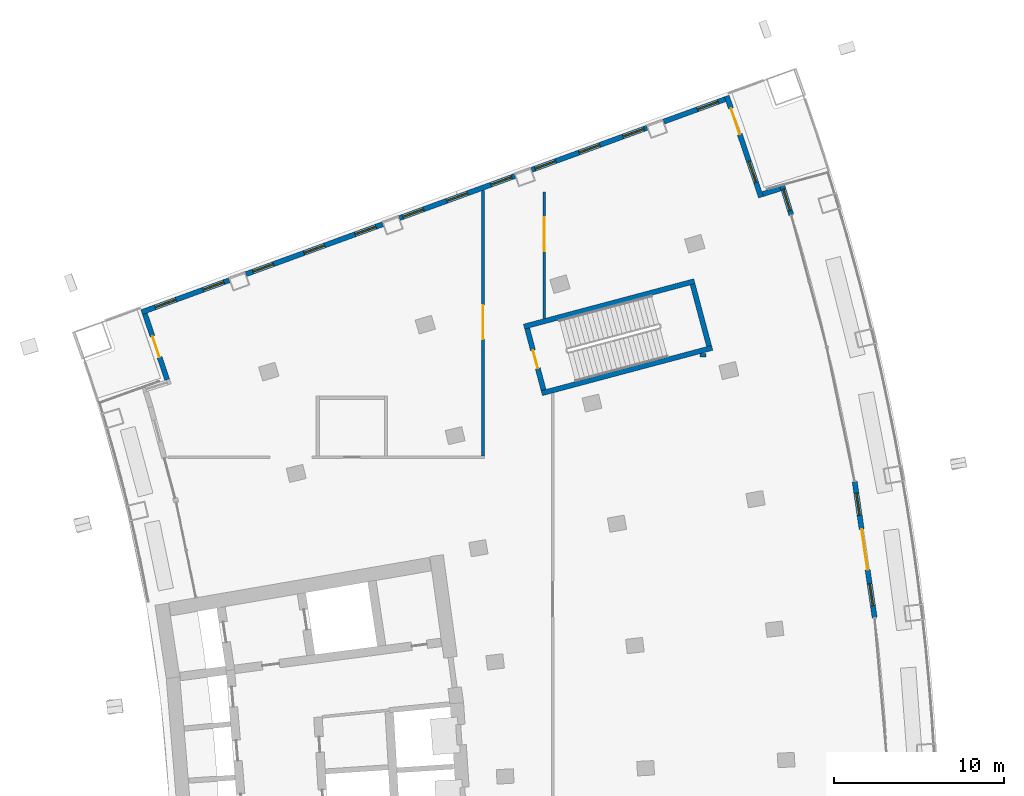
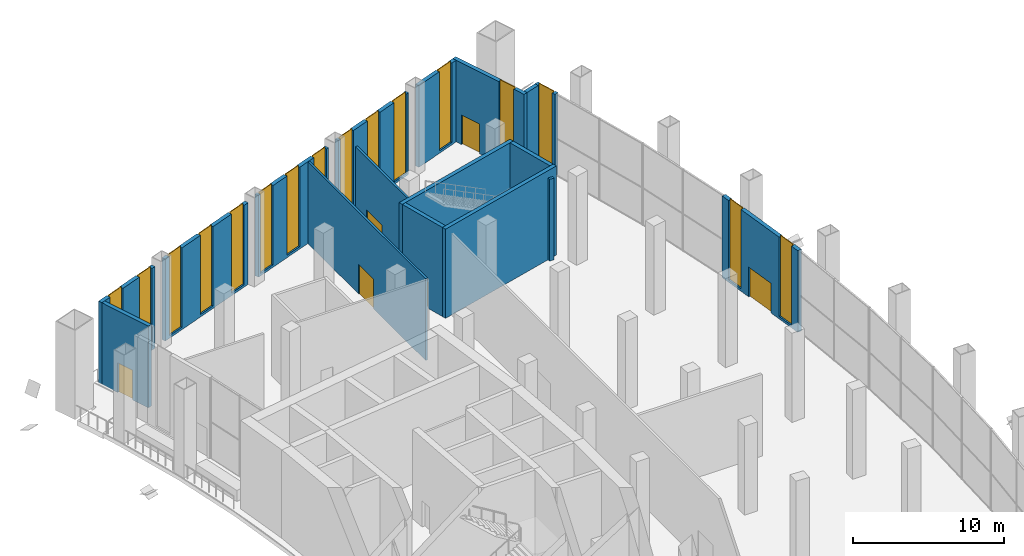
# One storey, part 12 of 18: 17 walls, 16 windows, 6 doors, 22 openings.
"""IFC4 building model written with IfcOpenShell, lengths in metres."""

from ifc_helpers import new_model, si_unit, direction, frame, frame_2d, origin, place, context, subcontext, project, spatial, rectangle, extrude, material, layer, layer_set, type_object, element, fill, save


model = new_model("IFC4")

# Units and contexts
model_context = context("Model", 3, precision=1e-05, world=origin(), true_north=direction((0.0, 1.0)))
body_context = subcontext(model_context, "Body", "Model", "MODEL_VIEW")
ifc_project = project(units=[si_unit("LENGTHUNIT", "METRE"), si_unit("AREAUNIT", "SQUARE_METRE"), si_unit("VOLUMEUNIT", "CUBIC_METRE"), si_unit("PLANEANGLEUNIT", "RADIAN"), si_unit("MASSUNIT", "GRAM", prefix="KILO")], contexts=[model_context])

# Site, building, storey
site_placement = place(None, origin())
site = spatial("IfcSite", under=ifc_project, at=site_placement, CompositionType="ELEMENT")
building_placement = place(site_placement, origin())
building = spatial("IfcBuilding", under=site, at=building_placement, Name="Alderwake Tower", CompositionType="ELEMENT")
storey_placement = place(building_placement, frame((0.0, 0.0, 125.60009765625)))
storey = spatial("IfcBuildingStorey", under=building, at=storey_placement, Name="L31", CompositionType="ELEMENT", Elevation=125.60009765625)

# Walls
ifc_material_1 = material(Name="Concrete C70/85", Category="concrete")
ifc_layer_1 = layer(ifc_material_1, 0.300048828125)
ifc_layer_set_1 = layer_set([ifc_layer_1], Name="Core wall stair enclosure 300 C70-85")
wall_type_1 = type_object("IfcWallType", Name="Core wall stair enclosure 300 C70-85", PredefinedType="SHEAR", material=ifc_layer_set_1)
for number, where, z_axis, x_axis, name in (
    (1, (36.71142578125, 94.182373046875, 0.0), (0.0, 0.0, 1.0), (0.966309214305, 0.257383958996, 0.0), "Core wall CW.082"),
    (2, (37.75390625, 90.268798828125, 0.0), (0.0, 0.0, 1.0), (0.966309214305, 0.257383958996, 0.0), "Core wall CW.084"),
):
    element("IfcWall", number, at=place(storey_placement, frame(where, z_axis=z_axis, x_axis=x_axis)), inside=storey, type_object=wall_type_1, Name=name, PredefinedType="SHEAR", context=body_context, shape_type="SweptSolid", body=[
        extrude(rectangle(XDim=10.360107421875, YDim=0.300048828125, at=frame_2d((5.18017578125, 0.0))), origin(), (0.0, 0.0, 1.0), 7.199951171875),
    ])

# Wall, opening, door
wall_1_placement = place(storey_placement, frame((37.8603515625, 90.452392578125, 0.0), z_axis=(0.0, 0.0, 1.0), x_axis=(-0.257411420208, 0.966301899381, 0.0)))
wall_1 = element("IfcWall", 3, at=wall_1_placement, inside=storey, type_object=wall_type_1, Name="Core wall CW.083", PredefinedType="SHEAR", context=body_context, shape_type="SweptSolid", body=[
    extrude(rectangle(XDim=3.750244140625, YDim=0.300048828125, at=frame_2d((1.875, 0.0))), origin(), (0.0, 0.0, 1.0), 7.199951171875),
])
opening_1_placement = place(wall_1_placement, frame((1.324951171875, 0.0, 0.0)))
opening_1 = element("IfcOpeningElement", 4, at=opening_1_placement, cuts=wall_1, Name="Opening C062", PredefinedType="OPENING", context=body_context, shape_type="SweptSolid", body=[
    extrude(rectangle(XDim=1.10009765625, YDim=2.10009765625, at=frame_2d((0.550048828125, 1.050048828125))), frame((0.0, 0.159912109375, 0.0), z_axis=(0.0, -1.0, 0.0), x_axis=(1.0, 0.0, 0.0)), (0.0, 0.0, 1.0), 0.320068359375),
])
ifc_material_2 = material(Name="Steel-framed fire door leaf", Category="steel")
door_type_1 = type_object("IfcDoorType", Name="Core stair door 1100 fire-rated", OperationType="SINGLE_SWING_LEFT", PredefinedType="DOOR", material=ifc_material_2)
door_1_placement = place(opening_1_placement, origin())
door_1 = element("IfcDoor", 5, at=door_1_placement, inside=storey, type_object=door_type_1, Name="Stair door", OperationType="SINGLE_SWING_RIGHT", OverallHeight=2.10009765625, OverallWidth=1.10009765625, PredefinedType="DOOR", context=body_context, shape_type="SweptSolid", body=[
    extrude(rectangle(XDim=1.10009765625, YDim=2.10009765625, at=frame_2d((0.550048828125, 1.050048828125))), frame((0.0, 0.02490234375, 0.0), z_axis=(0.0, -1.0, 0.0), x_axis=(1.0, 0.0, 0.0)), (0.0, 0.0, 1.0), 0.050048828125),
])
fill(opening_1, door_1)

# Wall
wall_2_placement = place(storey_placement, frame((47.581298828125, 93.041748046875, 0.0), z_axis=(0.0, 0.0, 1.0), x_axis=(-0.257366821694, 0.966313778796, 0.0)))
element("IfcWall", 6, at=wall_2_placement, inside=storey, type_object=wall_type_1, Name="Core wall CW.081", PredefinedType="SHEAR", context=body_context, shape_type="SweptSolid", body=[
    extrude(rectangle(XDim=3.749755859375, YDim=0.300048828125, at=frame_2d((1.875, 0.0))), origin(), (0.0, 0.0, 1.0), 7.199951171875),
])

# Wall, opening, door
ifc_material_3 = material(Name="Gypsum board on metal studs, rated")
ifc_layer_2 = layer(ifc_material_3, 0.159912109375)
ifc_layer_set_2 = layer_set([ifc_layer_2], Name="Corridor wall 160")
wall_type_2 = type_object("IfcWallType", Name="Corridor wall 160", PredefinedType="PARTITIONING", material=ifc_layer_set_2)
wall_3_placement = place(storey_placement, frame((34.299072265625, 102.1689453125, 0.0), z_axis=(0.0, 0.0, 1.0), x_axis=(0.0, -1.0, 0.0)))
wall_3 = element("IfcWall", 7, at=wall_3_placement, inside=storey, type_object=wall_type_2, Name="WL/L31/W15", PredefinedType="PARTITIONING", context=body_context, shape_type="SweptSolid", body=[
    extrude(rectangle(XDim=15.58984375, YDim=0.159912109375, at=frame_2d((7.794921875, 0.0))), origin(), (0.0, 0.0, 1.0), 6.599853515625),
])
opening_2_placement = place(wall_3_placement, frame((6.728515625, 0.0, 0.0)))
opening_2 = element("IfcOpeningElement", 8, at=opening_2_placement, cuts=wall_3, Name="Opening L31-04", PredefinedType="OPENING", context=body_context, shape_type="SweptSolid", body=[
    extrude(rectangle(XDim=2.0, YDim=2.39990234375, at=frame_2d((1.0, 1.199951171875))), frame((0.0, 0.08984375, 0.0), z_axis=(0.0, -1.0, 0.0), x_axis=(1.0, 0.0, 0.0)), (0.0, 0.0, 1.0), 0.179931640625),
])
ifc_material_4 = material(Name="Timber leaves with glazed panels", Category="wood")
door_type_2 = type_object("IfcDoorType", Name="Hall double door 2000", OperationType="DOUBLE_DOOR_SINGLE_SWING", PredefinedType="DOOR", material=ifc_material_4)
door_2_placement = place(opening_2_placement, origin())
door_2 = element("IfcDoor", 9, at=door_2_placement, inside=storey, type_object=door_type_2, Name="DR/L31/04", OperationType="DOUBLE_DOOR_SINGLE_SWING", OverallHeight=2.39990234375, OverallWidth=2.0, PredefinedType="DOOR", context=body_context, shape_type="SweptSolid", body=[
    extrude(rectangle(XDim=2.0, YDim=2.39990234375, at=frame_2d((1.0, 1.199951171875))), frame((0.0, 0.02490234375, 0.0), z_axis=(0.0, -1.0, 0.0), x_axis=(1.0, 0.0, 0.0)), (0.0, 0.0, 1.0), 0.050048828125),
])
fill(opening_2, door_2)

wall_4_placement = place(storey_placement, frame((37.89892578125, 94.673095703125, 0.0), z_axis=(0.0, 0.0, 1.0), x_axis=(0.0, 1.0, 0.0)))
wall_4 = element("IfcWall", 10, at=wall_4_placement, inside=storey, type_object=wall_type_2, Name="WL/L31/W19", PredefinedType="PARTITIONING", context=body_context, shape_type="SweptSolid", body=[
    extrude(rectangle(XDim=7.431884765625, YDim=0.159912109375, at=frame_2d((3.7158203125, 0.0))), origin(), (0.0, 0.0, 1.0), 6.599853515625),
])
opening_3_placement = place(wall_4_placement, frame((3.93115234375, 0.0, 0.0)))
opening_3 = element("IfcOpeningElement", 11, at=opening_3_placement, cuts=wall_4, Name="Opening L31-06", PredefinedType="OPENING", context=body_context, shape_type="SweptSolid", body=[
    extrude(rectangle(XDim=2.0, YDim=2.39990234375, at=frame_2d((1.0, 1.199951171875))), frame((0.0, 0.08984375, 0.0), z_axis=(0.0, -1.0, 0.0), x_axis=(1.0, 0.0, 0.0)), (0.0, 0.0, 1.0), 0.179931640625),
])
door_3_placement = place(opening_3_placement, origin())
door_3 = element("IfcDoor", 12, at=door_3_placement, inside=storey, type_object=door_type_2, Name="DR/L31/06", OperationType="DOUBLE_DOOR_SINGLE_SWING", OverallHeight=2.39990234375, OverallWidth=2.0, PredefinedType="DOOR", context=body_context, shape_type="SweptSolid", body=[
    extrude(rectangle(XDim=2.0, YDim=2.39990234375, at=frame_2d((1.0, 1.199951171875))), frame((0.0, 0.02490234375, 0.0), z_axis=(0.0, -1.0, 0.0), x_axis=(1.0, 0.0, 0.0)), (0.0, 0.0, 1.0), 0.050048828125),
])
fill(opening_3, door_3)

# Wall, openings, door, windows
ifc_material_5 = material(Name="Precast concrete C50/60 spandrel panel", Category="concrete")
ifc_layer_3 = layer(ifc_material_5, 0.300048828125)
ifc_layer_set_3 = layer_set([ifc_layer_3], Name="External wall EW1 Precast concrete C50/60 spandrel")
wall_type_3 = type_object("IfcWallType", Name="External wall EW1 Precast concrete C50/60 spandrel", PredefinedType="SOLIDWALL", material=ifc_layer_set_3)
wall_5_placement = place(storey_placement, frame((57.310302734375, 77.091064453125, 0.0), z_axis=(0.0, 0.0, 1.0), x_axis=(-0.145305781648, 0.989386794848, 0.0)))
wall_5 = element("IfcWall", 13, at=wall_5_placement, inside=storey, type_object=wall_type_3, Name="External wall 17", PredefinedType="SOLIDWALL", context=body_context, shape_type="SweptSolid", body=[
    extrude(rectangle(XDim=8.066650390625, YDim=0.300048828125, at=frame_2d((4.033203125, 0.0))), origin(), (0.0, 0.0, 1.0), 6.599853515625),
])
opening_4_placement = place(wall_5_placement, frame((0.6943359375, 0.0, 0.199951171875)))
opening_4 = element("IfcOpeningElement", 14, at=opening_4_placement, cuts=wall_5, Name="Opening W5", PredefinedType="OPENING", context=body_context, shape_type="SweptSolid", body=[
    extrude(rectangle(XDim=1.300048828125, YDim=6.5, at=frame_2d((0.64990234375, 3.25))), frame((0.0, 0.159912109375, 0.0), z_axis=(0.0, -1.0, 0.0), x_axis=(1.0, 0.0, 0.0)), (0.0, 0.0, 1.0), 0.320068359375),
])
opening_5_placement = place(wall_5_placement, frame((2.833251953125, 0.0, 0.0)))
opening_5 = element("IfcOpeningElement", 15, at=opening_5_placement, cuts=wall_5, Name="Opening D06", PredefinedType="OPENING", context=body_context, shape_type="SweptSolid", body=[
    extrude(rectangle(XDim=2.39990234375, YDim=2.39990234375, at=frame_2d((1.199951171875, 1.199951171875))), frame((0.0, 0.159912109375, 0.0), z_axis=(0.0, -1.0, 0.0), x_axis=(1.0, 0.0, 0.0)), (0.0, 0.0, 1.0), 0.320068359375),
])
opening_6_placement = place(wall_5_placement, frame((6.072021484375, 0.0, 0.199951171875)))
opening_6 = element("IfcOpeningElement", 16, at=opening_6_placement, cuts=wall_5, Name="Opening W5", PredefinedType="OPENING", context=body_context, shape_type="SweptSolid", body=[
    extrude(rectangle(XDim=1.300048828125, YDim=6.5, at=frame_2d((0.64990234375, 3.25))), frame((0.0, 0.159912109375, 0.0), z_axis=(0.0, -1.0, 0.0), x_axis=(1.0, 0.0, 0.0)), (0.0, 0.0, 1.0), 0.320068359375),
])
ifc_material_6 = material(Name="Bronze tinted glass in aluminium frame", Category="aluminium")
door_type_3 = type_object("IfcDoorType", Name="Garden door GD sliding", OperationType="DOUBLE_DOOR_SINGLE_SWING", PredefinedType="DOOR", material=ifc_material_6)
door_4_placement = place(opening_5_placement, origin())
door_4 = element("IfcDoor", 17, at=door_4_placement, inside=storey, type_object=door_type_3, Name="Door D06", OperationType="DOUBLE_DOOR_SINGLE_SWING", OverallHeight=2.39990234375, OverallWidth=2.39990234375, PredefinedType="DOOR", context=body_context, shape_type="SweptSolid", body=[
    extrude(rectangle(XDim=2.39990234375, YDim=2.39990234375, at=frame_2d((1.199951171875, 1.199951171875))), frame((0.0, 0.02490234375, 0.0), z_axis=(0.0, -1.0, 0.0), x_axis=(1.0, 0.0, 0.0)), (0.0, 0.0, 1.0), 0.050048828125),
])
fill(opening_5, door_4)
ifc_material_7 = material(Name="Bronze tinted glass in aluminium frame", Category="aluminium")
window_type = type_object("IfcWindowType", Name="Window W5 garden floor tall", PartitioningType="SINGLE_PANEL", PredefinedType="WINDOW", material=ifc_material_7)
window_1_placement = place(opening_4_placement, origin())
window_1 = element("IfcWindow", 18, at=window_1_placement, inside=storey, type_object=window_type, Name="Window W5 garden floor tall", OverallHeight=6.5, OverallWidth=1.300048828125, PartitioningType="SINGLE_PANEL", PredefinedType="WINDOW", context=body_context, shape_type="SweptSolid", body=[
    extrude(rectangle(XDim=1.300048828125, YDim=6.5, at=frame_2d((0.64990234375, 3.25))), frame((0.0, 0.030029296875, 0.0), z_axis=(0.0, -1.0, 0.0), x_axis=(1.0, 0.0, 0.0)), (0.0, 0.0, 1.0), 0.06005859375),
])
fill(opening_4, window_1)
window_2_placement = place(opening_6_placement, origin())
window_2 = element("IfcWindow", 19, at=window_2_placement, inside=storey, type_object=window_type, Name="Window W5 garden floor tall", OverallHeight=6.5, OverallWidth=1.300048828125, PartitioningType="SINGLE_PANEL", PredefinedType="WINDOW", context=body_context, shape_type="SweptSolid", body=[
    extrude(rectangle(XDim=1.300048828125, YDim=6.5, at=frame_2d((0.64990234375, 3.25))), frame((0.0, 0.030029296875, 0.0), z_axis=(0.0, -1.0, 0.0), x_axis=(1.0, 0.0, 0.0)), (0.0, 0.0, 1.0), 0.06005859375),
])
fill(opening_6, window_2)

# Wall, opening, window
wall_6_placement = place(storey_placement, frame((52.4111328125, 100.75341796875, 0.0), z_axis=(0.0, 0.0, 1.0), x_axis=(-0.294491957964, 0.955653957609, 0.0)))
wall_6 = element("IfcWall", 20, at=wall_6_placement, inside=storey, type_object=wall_type_3, Name="External wall 18", PredefinedType="SOLIDWALL", context=body_context, shape_type="SweptSolid", body=[
    extrude(rectangle(XDim=1.81640625, YDim=0.300048828125, at=frame_2d((0.908203125, 0.0))), origin(), (0.0, 0.0, 1.0), 6.599853515625),
])
opening_7_placement = place(wall_6_placement, frame((0.25830078125, 0.0, 0.199951171875)))
opening_7 = element("IfcOpeningElement", 21, at=opening_7_placement, cuts=wall_6, Name="Opening W5", PredefinedType="OPENING", context=body_context, shape_type="SweptSolid", body=[
    extrude(rectangle(XDim=1.300048828125, YDim=6.5, at=frame_2d((0.64990234375, 3.25))), frame((0.0, 0.159912109375, 0.0), z_axis=(0.0, -1.0, 0.0), x_axis=(1.0, 0.0, 0.0)), (0.0, 0.0, 1.0), 0.320068359375),
])
window_3_placement = place(opening_7_placement, origin())
window_3 = element("IfcWindow", 22, at=window_3_placement, inside=storey, type_object=window_type, Name="Window W5 garden floor tall", OverallHeight=6.5, OverallWidth=1.300048828125, PartitioningType="SINGLE_PANEL", PredefinedType="WINDOW", context=body_context, shape_type="SweptSolid", body=[
    extrude(rectangle(XDim=1.300048828125, YDim=6.5, at=frame_2d((0.64990234375, 3.25))), frame((0.0, 0.030029296875, 0.0), z_axis=(0.0, -1.0, 0.0), x_axis=(1.0, 0.0, 0.0)), (0.0, 0.0, 1.0), 0.06005859375),
])
fill(opening_7, window_3)

# Wall
ifc_material_8 = material(Name="Bronze metal cladding on lightweight framing")
ifc_layer_4 = layer(ifc_material_8, 0.300048828125)
ifc_layer_set_4 = layer_set([ifc_layer_4], Name="External wall EW2 bronze metal cladding")
wall_type_4 = type_object("IfcWallType", Name="External wall EW2 bronze metal cladding", PredefinedType="SOLIDWALL", material=ifc_layer_set_4)
wall_7_placement = place(storey_placement, frame((51.77734375, 102.300537109375, 0.0), z_axis=(0.0, 0.0, 1.0), x_axis=(-0.953478063394, -0.301462406657, 0.0)))
element("IfcWall", 23, at=wall_7_placement, inside=storey, type_object=wall_type_4, Name="External wall 19", PredefinedType="SOLIDWALL", context=body_context, shape_type="SweptSolid", body=[
    extrude(rectangle(XDim=1.093994140625, YDim=0.300048828125, at=frame_2d((0.546875, 0.0))), origin(), (0.0, 0.0, 1.0), 6.599853515625),
])

# Wall, openings, door, window
wall_8_placement = place(storey_placement, frame((50.63916015625, 101.783447265625, 0.0), z_axis=(0.0, 0.0, 1.0), x_axis=(-0.320895814133, 0.947114500191, 0.0)))
wall_8 = element("IfcWall", 24, at=wall_8_placement, inside=storey, type_object=wall_type_4, Name="External wall 20", PredefinedType="SOLIDWALL", context=body_context, shape_type="SweptSolid", body=[
    extrude(rectangle(XDim=6.28662109375, YDim=0.300048828125, at=frame_2d((3.143310546875, 0.0))), origin(), (0.0, 0.0, 1.0), 6.599853515625),
])
opening_8_placement = place(wall_8_placement, frame((0.921630859375, 0.0, 0.199951171875)))
opening_8 = element("IfcOpeningElement", 25, at=opening_8_placement, cuts=wall_8, Name="Opening W5", PredefinedType="OPENING", context=body_context, shape_type="SweptSolid", body=[
    extrude(rectangle(XDim=1.300048828125, YDim=6.5, at=frame_2d((0.64990234375, 3.25))), frame((0.0, 0.159912109375, 0.0), z_axis=(0.0, -1.0, 0.0), x_axis=(1.0, 0.0, 0.0)), (0.0, 0.0, 1.0), 0.320068359375),
])
opening_9_placement = place(wall_8_placement, frame((3.9150390625, 0.0, 0.0)))
opening_9 = element("IfcOpeningElement", 26, at=opening_9_placement, cuts=wall_8, Name="Opening D07", PredefinedType="OPENING", context=body_context, shape_type="SweptSolid", body=[
    extrude(rectangle(XDim=1.60009765625, YDim=2.39990234375, at=frame_2d((0.800048828125, 1.199951171875))), frame((0.0, 0.159912109375, 0.0), z_axis=(0.0, -1.0, 0.0), x_axis=(1.0, 0.0, 0.0)), (0.0, 0.0, 1.0), 0.320068359375),
])
ifc_material_9 = material(Name="Bronze tinted glass in aluminium frame", Category="aluminium")
door_type_4 = type_object("IfcDoorType", Name="Terrace door TD sliding", OperationType="SLIDING_TO_LEFT", PredefinedType="DOOR", material=ifc_material_9)
door_5_placement = place(opening_9_placement, origin())
door_5 = element("IfcDoor", 27, at=door_5_placement, inside=storey, type_object=door_type_4, Name="Door D07", OperationType="SLIDING_TO_LEFT", OverallHeight=2.39990234375, OverallWidth=1.60009765625, PredefinedType="DOOR", context=body_context, shape_type="SweptSolid", body=[
    extrude(rectangle(XDim=1.60009765625, YDim=2.39990234375, at=frame_2d((0.800048828125, 1.199951171875))), frame((0.0, 0.02490234375, 0.0), z_axis=(0.0, -1.0, 0.0), x_axis=(1.0, 0.0, 0.0)), (0.0, 0.0, 1.0), 0.050048828125),
])
fill(opening_9, door_5)
window_4_placement = place(opening_8_placement, origin())
window_4 = element("IfcWindow", 28, at=window_4_placement, inside=storey, type_object=window_type, Name="Window W5 garden floor tall", OverallHeight=6.5, OverallWidth=1.300048828125, PartitioningType="SINGLE_PANEL", PredefinedType="WINDOW", context=body_context, shape_type="SweptSolid", body=[
    extrude(rectangle(XDim=1.300048828125, YDim=6.5, at=frame_2d((0.64990234375, 3.25))), frame((0.0, 0.030029296875, 0.0), z_axis=(0.0, -1.0, 0.0), x_axis=(1.0, 0.0, 0.0)), (0.0, 0.0, 1.0), 0.06005859375),
])
fill(opening_8, window_4)

# Wall, opening, window
wall_9_placement = place(storey_placement, frame((48.529052734375, 107.544189453125, 0.0), z_axis=(0.0, 0.0, 1.0), x_axis=(-0.939372933228, -0.342897203718, 0.0)))
wall_9 = element("IfcWall", 29, at=wall_9_placement, inside=storey, type_object=wall_type_4, Name="External wall 21", PredefinedType="SOLIDWALL", context=body_context, shape_type="SweptSolid", body=[
    extrude(rectangle(XDim=3.837646484375, YDim=0.300048828125, at=frame_2d((1.9189453125, 0.0))), origin(), (0.0, 0.0, 1.0), 6.599853515625),
])
opening_10_placement = place(wall_9_placement, frame((0.441162109375, 0.0, 0.199951171875)))
opening_10 = element("IfcOpeningElement", 30, at=opening_10_placement, cuts=wall_9, Name="Opening W5", PredefinedType="OPENING", context=body_context, shape_type="SweptSolid", body=[
    extrude(rectangle(XDim=1.300048828125, YDim=6.5, at=frame_2d((0.64990234375, 3.25))), frame((0.0, 0.159912109375, 0.0), z_axis=(0.0, -1.0, 0.0), x_axis=(1.0, 0.0, 0.0)), (0.0, 0.0, 1.0), 0.320068359375),
])
window_5_placement = place(opening_10_placement, origin())
window_5 = element("IfcWindow", 31, at=window_5_placement, inside=storey, type_object=window_type, Name="Window W5 garden floor tall", OverallHeight=6.5, OverallWidth=1.300048828125, PartitioningType="SINGLE_PANEL", PredefinedType="WINDOW", context=body_context, shape_type="SweptSolid", body=[
    extrude(rectangle(XDim=1.300048828125, YDim=6.5, at=frame_2d((0.64990234375, 3.25))), frame((0.0, 0.030029296875, 0.0), z_axis=(0.0, -1.0, 0.0), x_axis=(1.0, 0.0, 0.0)), (0.0, 0.0, 1.0), 0.06005859375),
])
fill(opening_10, window_5)

# Wall, openings, windows
wall_10_placement = place(storey_placement, frame((43.93408203125, 105.866943359375, 0.0), z_axis=(0.0, 0.0, 1.0), x_axis=(-0.939364762064, -0.342919587939, 0.0)))
wall_10 = element("IfcWall", 32, at=wall_10_placement, inside=storey, type_object=wall_type_4, Name="External wall 22", PredefinedType="SOLIDWALL", context=body_context, shape_type="SweptSolid", body=[
    extrude(rectangle(XDim=7.212646484375, YDim=0.300048828125, at=frame_2d((3.6064453125, 0.0))), origin(), (0.0, 0.0, 1.0), 6.599853515625),
])
opening_11_placement = place(wall_10_placement, frame((0.200927734375, 0.0, 0.199951171875)))
opening_11 = element("IfcOpeningElement", 33, at=opening_11_placement, cuts=wall_10, Name="Opening W5", PredefinedType="OPENING", context=body_context, shape_type="SweptSolid", body=[
    extrude(rectangle(XDim=1.300048828125, YDim=6.5, at=frame_2d((0.64990234375, 3.25))), frame((0.0, 0.159912109375, 0.0), z_axis=(0.0, -1.0, 0.0), x_axis=(1.0, 0.0, 0.0)), (0.0, 0.0, 1.0), 0.320068359375),
])
opening_12_placement = place(wall_10_placement, frame((2.95654296875, 0.0, 0.199951171875)))
opening_12 = element("IfcOpeningElement", 34, at=opening_12_placement, cuts=wall_10, Name="Opening W5", PredefinedType="OPENING", context=body_context, shape_type="SweptSolid", body=[
    extrude(rectangle(XDim=1.300048828125, YDim=6.5, at=frame_2d((0.64990234375, 3.25))), frame((0.0, 0.159912109375, 0.0), z_axis=(0.0, -1.0, 0.0), x_axis=(1.0, 0.0, 0.0)), (0.0, 0.0, 1.0), 0.320068359375),
])
opening_13_placement = place(wall_10_placement, frame((5.712158203125, 0.0, 0.199951171875)))
opening_13 = element("IfcOpeningElement", 35, at=opening_13_placement, cuts=wall_10, Name="Opening W5", PredefinedType="OPENING", context=body_context, shape_type="SweptSolid", body=[
    extrude(rectangle(XDim=1.300048828125, YDim=6.5, at=frame_2d((0.64990234375, 3.25))), frame((0.0, 0.159912109375, 0.0), z_axis=(0.0, -1.0, 0.0), x_axis=(1.0, 0.0, 0.0)), (0.0, 0.0, 1.0), 0.320068359375),
])
window_6_placement = place(opening_11_placement, origin())
window_6 = element("IfcWindow", 36, at=window_6_placement, inside=storey, type_object=window_type, Name="Window W5 garden floor tall", OverallHeight=6.5, OverallWidth=1.300048828125, PartitioningType="SINGLE_PANEL", PredefinedType="WINDOW", context=body_context, shape_type="SweptSolid", body=[
    extrude(rectangle(XDim=1.300048828125, YDim=6.5, at=frame_2d((0.64990234375, 3.25))), frame((0.0, 0.030029296875, 0.0), z_axis=(0.0, -1.0, 0.0), x_axis=(1.0, 0.0, 0.0)), (0.0, 0.0, 1.0), 0.06005859375),
])
fill(opening_11, window_6)
window_7_placement = place(opening_12_placement, origin())
window_7 = element("IfcWindow", 37, at=window_7_placement, inside=storey, type_object=window_type, Name="Window W5 garden floor tall", OverallHeight=6.5, OverallWidth=1.300048828125, PartitioningType="SINGLE_PANEL", PredefinedType="WINDOW", context=body_context, shape_type="SweptSolid", body=[
    extrude(rectangle(XDim=1.300048828125, YDim=6.5, at=frame_2d((0.64990234375, 3.25))), frame((0.0, 0.030029296875, 0.0), z_axis=(0.0, -1.0, 0.0), x_axis=(1.0, 0.0, 0.0)), (0.0, 0.0, 1.0), 0.06005859375),
])
fill(opening_12, window_7)
window_8_placement = place(opening_13_placement, origin())
window_8 = element("IfcWindow", 38, at=window_8_placement, inside=storey, type_object=window_type, Name="Window W5 garden floor tall", OverallHeight=6.5, OverallWidth=1.300048828125, PartitioningType="SINGLE_PANEL", PredefinedType="WINDOW", context=body_context, shape_type="SweptSolid", body=[
    extrude(rectangle(XDim=1.300048828125, YDim=6.5, at=frame_2d((0.64990234375, 3.25))), frame((0.0, 0.030029296875, 0.0), z_axis=(0.0, -1.0, 0.0), x_axis=(1.0, 0.0, 0.0)), (0.0, 0.0, 1.0), 0.06005859375),
])
fill(opening_13, window_8)

wall_11_placement = place(storey_placement, frame((36.16845703125, 103.0322265625, 0.0), z_axis=(0.0, 0.0, 1.0), x_axis=(-0.939375665231, -0.342889719256, 0.0)))
wall_11 = element("IfcWall", 39, at=wall_11_placement, inside=storey, type_object=wall_type_4, Name="External wall 23", PredefinedType="SOLIDWALL", context=body_context, shape_type="SweptSolid", body=[
    extrude(rectangle(XDim=7.212646484375, YDim=0.300048828125, at=frame_2d((3.6064453125, 0.0))), origin(), (0.0, 0.0, 1.0), 6.599853515625),
])
opening_14_placement = place(wall_11_placement, frame((0.20068359375, 0.0, 0.199951171875)))
opening_14 = element("IfcOpeningElement", 40, at=opening_14_placement, cuts=wall_11, Name="Opening W5", PredefinedType="OPENING", context=body_context, shape_type="SweptSolid", body=[
    extrude(rectangle(XDim=1.300048828125, YDim=6.5, at=frame_2d((0.64990234375, 3.25))), frame((0.0, 0.159912109375, 0.0), z_axis=(0.0, -1.0, 0.0), x_axis=(1.0, 0.0, 0.0)), (0.0, 0.0, 1.0), 0.320068359375),
])
opening_15_placement = place(wall_11_placement, frame((2.956298828125, 0.0, 0.199951171875)))
opening_15 = element("IfcOpeningElement", 41, at=opening_15_placement, cuts=wall_11, Name="Opening W5", PredefinedType="OPENING", context=body_context, shape_type="SweptSolid", body=[
    extrude(rectangle(XDim=1.300048828125, YDim=6.5, at=frame_2d((0.64990234375, 3.25))), frame((0.0, 0.159912109375, 0.0), z_axis=(0.0, -1.0, 0.0), x_axis=(1.0, 0.0, 0.0)), (0.0, 0.0, 1.0), 0.320068359375),
])
opening_16_placement = place(wall_11_placement, frame((5.7119140625, 0.0, 0.199951171875)))
opening_16 = element("IfcOpeningElement", 42, at=opening_16_placement, cuts=wall_11, Name="Opening W5", PredefinedType="OPENING", context=body_context, shape_type="SweptSolid", body=[
    extrude(rectangle(XDim=1.300048828125, YDim=6.5, at=frame_2d((0.64990234375, 3.25))), frame((0.0, 0.159912109375, 0.0), z_axis=(0.0, -1.0, 0.0), x_axis=(1.0, 0.0, 0.0)), (0.0, 0.0, 1.0), 0.320068359375),
])
window_9_placement = place(opening_14_placement, origin())
window_9 = element("IfcWindow", 43, at=window_9_placement, inside=storey, type_object=window_type, Name="Window W5 garden floor tall", OverallHeight=6.5, OverallWidth=1.300048828125, PartitioningType="SINGLE_PANEL", PredefinedType="WINDOW", context=body_context, shape_type="SweptSolid", body=[
    extrude(rectangle(XDim=1.300048828125, YDim=6.5, at=frame_2d((0.64990234375, 3.25))), frame((0.0, 0.030029296875, 0.0), z_axis=(0.0, -1.0, 0.0), x_axis=(1.0, 0.0, 0.0)), (0.0, 0.0, 1.0), 0.06005859375),
])
fill(opening_14, window_9)
window_10_placement = place(opening_15_placement, origin())
window_10 = element("IfcWindow", 44, at=window_10_placement, inside=storey, type_object=window_type, Name="Window W5 garden floor tall", OverallHeight=6.5, OverallWidth=1.300048828125, PartitioningType="SINGLE_PANEL", PredefinedType="WINDOW", context=body_context, shape_type="SweptSolid", body=[
    extrude(rectangle(XDim=1.300048828125, YDim=6.5, at=frame_2d((0.64990234375, 3.25))), frame((0.0, 0.030029296875, 0.0), z_axis=(0.0, -1.0, 0.0), x_axis=(1.0, 0.0, 0.0)), (0.0, 0.0, 1.0), 0.06005859375),
])
fill(opening_15, window_10)
window_11_placement = place(opening_16_placement, origin())
window_11 = element("IfcWindow", 45, at=window_11_placement, inside=storey, type_object=window_type, Name="Window W5 garden floor tall", OverallHeight=6.5, OverallWidth=1.300048828125, PartitioningType="SINGLE_PANEL", PredefinedType="WINDOW", context=body_context, shape_type="SweptSolid", body=[
    extrude(rectangle(XDim=1.300048828125, YDim=6.5, at=frame_2d((0.64990234375, 3.25))), frame((0.0, 0.030029296875, 0.0), z_axis=(0.0, -1.0, 0.0), x_axis=(1.0, 0.0, 0.0)), (0.0, 0.0, 1.0), 0.06005859375),
])
fill(opening_16, window_11)

wall_12_placement = place(storey_placement, frame((28.402587890625, 100.197509765625, 0.0), z_axis=(0.0, 0.0, 1.0), x_axis=(-0.939364770023, -0.342919566137, 0.0)))
wall_12 = element("IfcWall", 46, at=wall_12_placement, inside=storey, type_object=wall_type_4, Name="External wall 24", PredefinedType="SOLIDWALL", context=body_context, shape_type="SweptSolid", body=[
    extrude(rectangle(XDim=8.54541015625, YDim=0.300048828125, at=frame_2d((4.272705078125, 0.0))), origin(), (0.0, 0.0, 1.0), 6.599853515625),
])
opening_17_placement = place(wall_12_placement, frame((0.4228515625, 0.0, 0.199951171875)))
opening_17 = element("IfcOpeningElement", 47, at=opening_17_placement, cuts=wall_12, Name="Opening W5", PredefinedType="OPENING", context=body_context, shape_type="SweptSolid", body=[
    extrude(rectangle(XDim=1.300048828125, YDim=6.5, at=frame_2d((0.64990234375, 3.25))), frame((0.0, 0.159912109375, 0.0), z_axis=(0.0, -1.0, 0.0), x_axis=(1.0, 0.0, 0.0)), (0.0, 0.0, 1.0), 0.320068359375),
])
opening_18_placement = place(wall_12_placement, frame((3.622802734375, 0.0, 0.199951171875)))
opening_18 = element("IfcOpeningElement", 48, at=opening_18_placement, cuts=wall_12, Name="Opening W5", PredefinedType="OPENING", context=body_context, shape_type="SweptSolid", body=[
    extrude(rectangle(XDim=1.300048828125, YDim=6.5, at=frame_2d((0.64990234375, 3.25))), frame((0.0, 0.159912109375, 0.0), z_axis=(0.0, -1.0, 0.0), x_axis=(1.0, 0.0, 0.0)), (0.0, 0.0, 1.0), 0.320068359375),
])
opening_19_placement = place(wall_12_placement, frame((6.822998046875, 0.0, 0.199951171875)))
opening_19 = element("IfcOpeningElement", 49, at=opening_19_placement, cuts=wall_12, Name="Opening W5", PredefinedType="OPENING", context=body_context, shape_type="SweptSolid", body=[
    extrude(rectangle(XDim=1.300048828125, YDim=6.5, at=frame_2d((0.64990234375, 3.25))), frame((0.0, 0.159912109375, 0.0), z_axis=(0.0, -1.0, 0.0), x_axis=(1.0, 0.0, 0.0)), (0.0, 0.0, 1.0), 0.320068359375),
])
window_12_placement = place(opening_17_placement, origin())
window_12 = element("IfcWindow", 50, at=window_12_placement, inside=storey, type_object=window_type, Name="Window W5 garden floor tall", OverallHeight=6.5, OverallWidth=1.300048828125, PartitioningType="SINGLE_PANEL", PredefinedType="WINDOW", context=body_context, shape_type="SweptSolid", body=[
    extrude(rectangle(XDim=1.300048828125, YDim=6.5, at=frame_2d((0.64990234375, 3.25))), frame((0.0, 0.030029296875, 0.0), z_axis=(0.0, -1.0, 0.0), x_axis=(1.0, 0.0, 0.0)), (0.0, 0.0, 1.0), 0.06005859375),
])
fill(opening_17, window_12)
window_13_placement = place(opening_18_placement, origin())
window_13 = element("IfcWindow", 51, at=window_13_placement, inside=storey, type_object=window_type, Name="Window W5 garden floor tall", OverallHeight=6.5, OverallWidth=1.300048828125, PartitioningType="SINGLE_PANEL", PredefinedType="WINDOW", context=body_context, shape_type="SweptSolid", body=[
    extrude(rectangle(XDim=1.300048828125, YDim=6.5, at=frame_2d((0.64990234375, 3.25))), frame((0.0, 0.030029296875, 0.0), z_axis=(0.0, -1.0, 0.0), x_axis=(1.0, 0.0, 0.0)), (0.0, 0.0, 1.0), 0.06005859375),
])
fill(opening_18, window_13)
window_14_placement = place(opening_19_placement, origin())
window_14 = element("IfcWindow", 52, at=window_14_placement, inside=storey, type_object=window_type, Name="Window W5 garden floor tall", OverallHeight=6.5, OverallWidth=1.300048828125, PartitioningType="SINGLE_PANEL", PredefinedType="WINDOW", context=body_context, shape_type="SweptSolid", body=[
    extrude(rectangle(XDim=1.300048828125, YDim=6.5, at=frame_2d((0.64990234375, 3.25))), frame((0.0, 0.030029296875, 0.0), z_axis=(0.0, -1.0, 0.0), x_axis=(1.0, 0.0, 0.0)), (0.0, 0.0, 1.0), 0.06005859375),
])
fill(opening_19, window_14)

wall_13_placement = place(storey_placement, frame((19.38427734375, 96.905517578125, 0.0), z_axis=(0.0, 0.0, 1.0), x_axis=(-0.939366897407, -0.342913738506, 0.0)))
wall_13 = element("IfcWall", 53, at=wall_13_placement, inside=storey, type_object=wall_type_4, Name="External wall 25", PredefinedType="SOLIDWALL", context=body_context, shape_type="SweptSolid", body=[
    extrude(rectangle(XDim=5.474365234375, YDim=0.300048828125, at=frame_2d((2.7373046875, 0.0))), origin(), (0.0, 0.0, 1.0), 6.599853515625),
])
opening_20_placement = place(wall_13_placement, frame((0.322998046875, 0.0, 0.199951171875)))
opening_20 = element("IfcOpeningElement", 54, at=opening_20_placement, cuts=wall_13, Name="Opening W5", PredefinedType="OPENING", context=body_context, shape_type="SweptSolid", body=[
    extrude(rectangle(XDim=1.300048828125, YDim=6.5, at=frame_2d((0.64990234375, 3.25))), frame((0.0, 0.159912109375, 0.0), z_axis=(0.0, -1.0, 0.0), x_axis=(1.0, 0.0, 0.0)), (0.0, 0.0, 1.0), 0.320068359375),
])
opening_21_placement = place(wall_13_placement, frame((3.32373046875, 0.0, 0.199951171875)))
opening_21 = element("IfcOpeningElement", 55, at=opening_21_placement, cuts=wall_13, Name="Opening W5", PredefinedType="OPENING", context=body_context, shape_type="SweptSolid", body=[
    extrude(rectangle(XDim=1.300048828125, YDim=6.5, at=frame_2d((0.64990234375, 3.25))), frame((0.0, 0.159912109375, 0.0), z_axis=(0.0, -1.0, 0.0), x_axis=(1.0, 0.0, 0.0)), (0.0, 0.0, 1.0), 0.320068359375),
])
window_15_placement = place(opening_20_placement, origin())
window_15 = element("IfcWindow", 56, at=window_15_placement, inside=storey, type_object=window_type, Name="Window W5 garden floor tall", OverallHeight=6.5, OverallWidth=1.300048828125, PartitioningType="SINGLE_PANEL", PredefinedType="WINDOW", context=body_context, shape_type="SweptSolid", body=[
    extrude(rectangle(XDim=1.300048828125, YDim=6.5, at=frame_2d((0.64990234375, 3.25))), frame((0.0, 0.030029296875, 0.0), z_axis=(0.0, -1.0, 0.0), x_axis=(1.0, 0.0, 0.0)), (0.0, 0.0, 1.0), 0.06005859375),
])
fill(opening_20, window_15)
window_16_placement = place(opening_21_placement, origin())
window_16 = element("IfcWindow", 57, at=window_16_placement, inside=storey, type_object=window_type, Name="Window W5 garden floor tall", OverallHeight=6.5, OverallWidth=1.300048828125, PartitioningType="SINGLE_PANEL", PredefinedType="WINDOW", context=body_context, shape_type="SweptSolid", body=[
    extrude(rectangle(XDim=1.300048828125, YDim=6.5, at=frame_2d((0.64990234375, 3.25))), frame((0.0, 0.030029296875, 0.0), z_axis=(0.0, -1.0, 0.0), x_axis=(1.0, 0.0, 0.0)), (0.0, 0.0, 1.0), 0.06005859375),
])
fill(opening_21, window_16)

# Wall, opening, door
wall_14_placement = place(storey_placement, frame((14.430908203125, 94.937744140625, 0.0), z_axis=(0.0, 0.0, 1.0), x_axis=(0.320379458656, -0.947289291859, 0.0)))
wall_14 = element("IfcWall", 58, at=wall_14_placement, inside=storey, type_object=wall_type_4, Name="External wall 26", PredefinedType="SOLIDWALL", context=body_context, shape_type="SweptSolid", body=[
    extrude(rectangle(XDim=4.08984375, YDim=0.300048828125, at=frame_2d((2.044921875, 0.0))), origin(), (0.0, 0.0, 1.0), 6.599853515625),
])
opening_22_placement = place(wall_14_placement, frame((1.39501953125, 0.0, 0.0)))
opening_22 = element("IfcOpeningElement", 59, at=opening_22_placement, cuts=wall_14, Name="Opening D08", PredefinedType="OPENING", context=body_context, shape_type="SweptSolid", body=[
    extrude(rectangle(XDim=1.300048828125, YDim=2.39990234375, at=frame_2d((0.64990234375, 1.199951171875))), frame((0.0, 0.159912109375, 0.0), z_axis=(0.0, -1.0, 0.0), x_axis=(1.0, 0.0, 0.0)), (0.0, 0.0, 1.0), 0.320068359375),
])
ifc_material_10 = material(Name="Bronze tinted glass in aluminium frame", Category="aluminium")
door_type_5 = type_object("IfcDoorType", Name="Balcony door BD sliding", OperationType="SLIDING_TO_LEFT", PredefinedType="DOOR", material=ifc_material_10)
door_6_placement = place(opening_22_placement, origin())
door_6 = element("IfcDoor", 60, at=door_6_placement, inside=storey, type_object=door_type_5, Name="Door D08", OperationType="SLIDING_TO_LEFT", OverallHeight=2.39990234375, OverallWidth=1.300048828125, PredefinedType="DOOR", context=body_context, shape_type="SweptSolid", body=[
    extrude(rectangle(XDim=1.300048828125, YDim=2.39990234375, at=frame_2d((0.64990234375, 1.199951171875))), frame((0.0, 0.02490234375, 0.0), z_axis=(0.0, -1.0, 0.0), x_axis=(1.0, 0.0, 0.0)), (0.0, 0.0, 1.0), 0.050048828125),
])
fill(opening_22, door_6)

# Wall
ifc_material_11 = material(Name="Dense block masonry wall", Category="masonry")
ifc_layer_5 = layer(ifc_material_11, 0.199951171875)
ifc_layer_set_5 = layer_set([ifc_layer_5], Name="Party wall 200")
wall_type_5 = type_object("IfcWallType", Name="Party wall 200", PredefinedType="SOLIDWALL", material=ifc_layer_set_5)
wall_15_placement = place(storey_placement, frame((47.39990234375, 92.4990234375, 0.0), z_axis=(0.0, 0.0, 1.0), x_axis=(-1.0, 0.0, 0.0)))
element("IfcWall", 61, at=wall_15_placement, inside=storey, type_object=wall_type_5, Name="WL/L31/W09", PredefinedType="SOLIDWALL", context=body_context, shape_type="SweptSolid", body=[
    extrude(rectangle(XDim=0.346923828125, YDim=0.199951171875, at=frame_2d((0.17333984375, 0.0))), origin(), (0.0, 0.0, 1.0), 6.599853515625),
])

save(model, "model.ifc")
